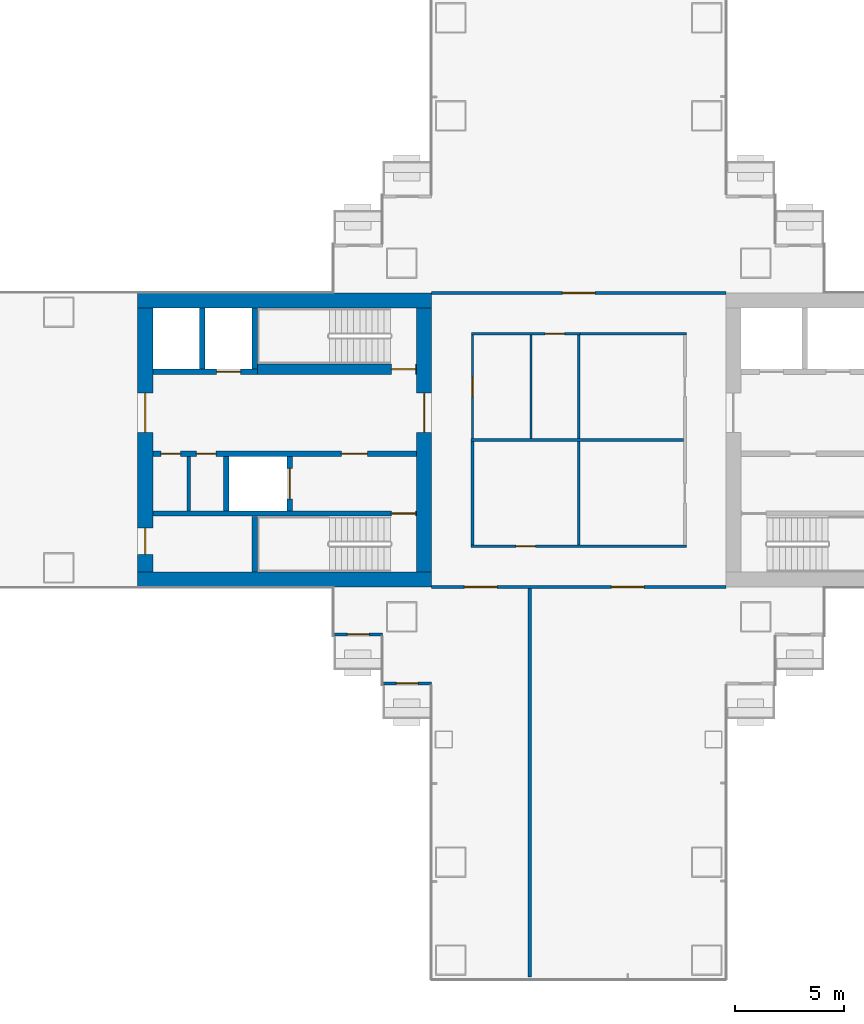
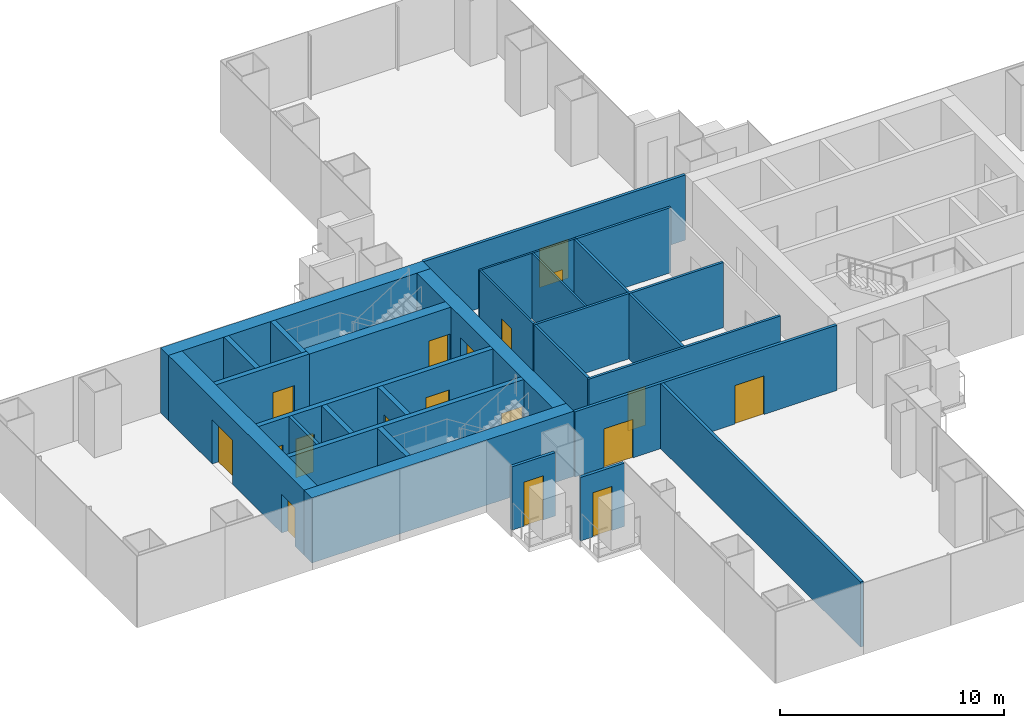
# One storey, part 14 of 21: 27 walls, 18 doors, 18 openings.
"""IFC4 building model written with IfcOpenShell, lengths in metres."""

from ifc_helpers import new_model, si_unit, direction, frame, frame_2d, origin, place, context, subcontext, project, spatial, rectangle, extrude, material, layer, layer_set, type_object, element, fill, save


model = new_model("IFC4")

# Units and contexts
model_context = context("Model", 3, precision=1e-05, world=origin(), true_north=direction((0.0, 1.0)))
body_context = subcontext(model_context, "Body", "Model", "MODEL_VIEW")
ifc_project = project(units=[si_unit("LENGTHUNIT", "METRE"), si_unit("AREAUNIT", "SQUARE_METRE"), si_unit("VOLUMEUNIT", "CUBIC_METRE"), si_unit("PLANEANGLEUNIT", "RADIAN"), si_unit("MASSUNIT", "GRAM", prefix="KILO")], contexts=[model_context])

# Site, building, storey
site_placement = place(None, origin())
site = spatial("IfcSite", under=ifc_project, at=site_placement, CompositionType="ELEMENT")
building_placement = place(site_placement, origin())
building = spatial("IfcBuilding", under=site, at=building_placement, Name="Shamsa Quay Exchange Towers", CompositionType="ELEMENT")
storey_placement = place(building_placement, frame((0.0, 0.0, 61.5)))
storey = spatial("IfcBuildingStorey", under=building, at=storey_placement, Name="L13", CompositionType="ELEMENT", Elevation=61.5)

# Wall, opening, door
ifc_material_1 = material(Name="Aluminium EN AW-6063 T6, black anodised, with black enamelled glass infill", Category="aluminium")
ifc_layer_1 = layer(ifc_material_1, 0.14990234375)
ifc_layer_set_1 = layer_set([ifc_layer_1], Name="BALCONY DOOR BAY WALL 150")
wall_type_1 = type_object("IfcWallType", Name="BALCONY DOOR BAY WALL 150", PredefinedType="SOLIDWALL", material=ifc_layer_set_1)
wall_1_placement = place(storey_placement, frame((-42.75, -8.925048828125, 0.0), z_axis=(0.0, 0.0, 1.0), x_axis=(-1.0, 0.0, 0.0)))
wall_1 = element("IfcWall", 1, at=wall_1_placement, inside=storey, type_object=wall_type_1, Name="Door bay T1-PKWS L13", PredefinedType="SOLIDWALL", context=body_context, shape_type="SweptSolid", body=[
    extrude(rectangle(XDim=2.25, YDim=0.14990234375, at=frame_2d((1.125, 0.0))), origin(), (0.0, 0.0, 1.0), 3.449951171875),
])
opening_1_placement = place(wall_1_placement, frame((0.625, 0.0, 0.0)))
opening_1 = element("IfcOpeningElement", 2, at=opening_1_placement, cuts=wall_1, Name="Opening XD079", PredefinedType="OPENING", context=body_context, shape_type="SweptSolid", body=[
    extrude(rectangle(XDim=1.0, YDim=2.39990234375, at=frame_2d((0.5, 1.199951171875))), frame((0.0, 0.0849609375, 0.0), z_axis=(0.0, -1.0, 0.0), x_axis=(1.0, 0.0, 0.0)), (0.0, 0.0, 1.0), 0.169921875),
])
ifc_material_2 = material(Name="Aluminium EN AW-6063 T6, black anodised, with laminated glass leaf", Category="aluminium")
door_type_1 = type_object("IfcDoorType", Name="BALCONY DOOR 1000x2400", OperationType="SINGLE_SWING_LEFT", PredefinedType="DOOR", material=ifc_material_2)
door_1_placement = place(opening_1_placement, origin())
door_1 = element("IfcDoor", 3, at=door_1_placement, inside=storey, type_object=door_type_1, Name="Balcony door T1-PKWS L13", OperationType="SINGLE_SWING_LEFT", OverallHeight=2.39990234375, OverallWidth=1.0, PredefinedType="DOOR", context=body_context, shape_type="SweptSolid", body=[
    extrude(rectangle(XDim=1.0, YDim=2.39990234375, at=frame_2d((0.5, 1.199951171875))), frame((0.0, 0.02490234375, 0.0), z_axis=(0.0, -1.0, 0.0), x_axis=(1.0, 0.0, 0.0)), (0.0, 0.0, 1.0), 0.050048828125),
])
fill(opening_1, door_1)

wall_2_placement = place(storey_placement, frame((-40.5, -11.175048828125, 0.0), z_axis=(0.0, 0.0, 1.0), x_axis=(-1.0, 0.0, 0.0)))
wall_2 = element("IfcWall", 4, at=wall_2_placement, inside=storey, type_object=wall_type_1, Name="Door bay T1-PKWS L13", PredefinedType="SOLIDWALL", context=body_context, shape_type="SweptSolid", body=[
    extrude(rectangle(XDim=2.25, YDim=0.14990234375, at=frame_2d((1.125, 0.0))), origin(), (0.0, 0.0, 1.0), 3.449951171875),
])
opening_2_placement = place(wall_2_placement, frame((0.625, 0.0, 0.0)))
opening_2 = element("IfcOpeningElement", 5, at=opening_2_placement, cuts=wall_2, Name="Opening XD080", PredefinedType="OPENING", context=body_context, shape_type="SweptSolid", body=[
    extrude(rectangle(XDim=1.0, YDim=2.39990234375, at=frame_2d((0.5, 1.199951171875))), frame((0.0, 0.0849609375, 0.0), z_axis=(0.0, -1.0, 0.0), x_axis=(1.0, 0.0, 0.0)), (0.0, 0.0, 1.0), 0.169921875),
])
door_2_placement = place(opening_2_placement, origin())
door_2 = element("IfcDoor", 6, at=door_2_placement, inside=storey, type_object=door_type_1, Name="Balcony door T1-PKWS L13", OperationType="SINGLE_SWING_RIGHT", OverallHeight=2.39990234375, OverallWidth=1.0, PredefinedType="DOOR", context=body_context, shape_type="SweptSolid", body=[
    extrude(rectangle(XDim=1.0, YDim=2.39990234375, at=frame_2d((0.5, 1.199951171875))), frame((0.0, 0.02490234375, 0.0), z_axis=(0.0, -1.0, 0.0), x_axis=(1.0, 0.0, 0.0)), (0.0, 0.0, 1.0), 0.050048828125),
])
fill(opening_2, door_2)

# Walls
ifc_material_3 = material(Name="Concrete C80/95", Category="concrete")
ifc_layer_2 = layer(ifc_material_3, 0.699951171875)
ifc_layer_set_2 = layer_set([ifc_layer_2], Name="CORE WALL 700 C80/95")
wall_type_2 = type_object("IfcWallType", Name="CORE WALL 700 C80/95", PredefinedType="SHEAR", material=ifc_layer_set_2)
for number, where, z_axis, x_axis, name in (
    (7, (-40.5, -6.39990234375, 0.0), (0.0, 0.0, 1.0), (-1.0, 0.0, 0.0), "Core wall T1B-R06-PS"),
    (8, (-40.5, 6.39990234375, 0.0), (0.0, 0.0, 1.0), (-1.0, 0.0, 0.0), "Core wall T1B-R06-PN"),
):
    element("IfcWall", number, at=place(storey_placement, frame(where, z_axis=z_axis, x_axis=x_axis)), inside=storey, type_object=wall_type_2, Name=name, PredefinedType="SHEAR", context=body_context, shape_type="SweptSolid", body=[
        extrude(rectangle(XDim=13.5, YDim=0.699951171875, at=frame_2d((6.75, 0.0))), origin(), (0.0, 0.0, 1.0), 3.550048828125),
    ])

# Wall, opening, door
wall_3_placement = place(storey_placement, frame((-40.85009765625, -6.050048828125, 0.0), z_axis=(0.0, 0.0, 1.0), x_axis=(0.0, 1.0, 0.0)))
wall_3 = element("IfcWall", 9, at=wall_3_placement, inside=storey, type_object=wall_type_2, Name="Core wall T1B-R06-PF", PredefinedType="SHEAR", context=body_context, shape_type="SweptSolid", body=[
    extrude(rectangle(XDim=12.10009765625, YDim=0.699951171875, at=frame_2d((6.050048828125, 0.0))), origin(), (0.0, 0.0, 1.0), 3.550048828125),
])
opening_3_placement = place(wall_3_placement, frame((6.39990234375, 0.0, 0.0)))
opening_3 = element("IfcOpeningElement", 10, at=opening_3_placement, cuts=wall_3, Name="Opening T1B-R06-LBD01", PredefinedType="OPENING", context=body_context, shape_type="SweptSolid", body=[
    extrude(rectangle(XDim=1.800048828125, YDim=2.39990234375, at=frame_2d((0.89990234375, 1.199951171875))), frame((0.0, 0.35986328125, 0.0), z_axis=(0.0, -1.0, 0.0), x_axis=(1.0, 0.0, 0.0)), (0.0, 0.0, 1.0), 0.719970703125),
])
ifc_material_4 = material(Name="Steel, fire rated", Category="steel")
door_type_2 = type_object("IfcDoorType", Name="LIFT LOBBY DOOR PAIR 1800", OperationType="DOUBLE_DOOR_SINGLE_SWING", PredefinedType="DOOR", material=ifc_material_4)
door_3_placement = place(opening_3_placement, origin())
door_3 = element("IfcDoor", 11, at=door_3_placement, inside=storey, type_object=door_type_2, Name="T1B-R06-LBD01", OperationType="DOUBLE_DOOR_SINGLE_SWING", OverallHeight=2.39990234375, OverallWidth=1.800048828125, PredefinedType="DOOR", context=body_context, shape_type="SweptSolid", body=[
    extrude(rectangle(XDim=1.800048828125, YDim=2.39990234375, at=frame_2d((0.89990234375, 1.199951171875))), frame((0.0, 0.02490234375, 0.0), z_axis=(0.0, -1.0, 0.0), x_axis=(1.0, 0.0, 0.0)), (0.0, 0.0, 1.0), 0.050048828125),
])
fill(opening_3, door_3)

# Wall, openings, doors
wall_4_placement = place(storey_placement, frame((-53.64990234375, -6.050048828125, 0.0), z_axis=(0.0, 0.0, 1.0), x_axis=(0.0, 1.0, 0.0)))
wall_4 = element("IfcWall", 12, at=wall_4_placement, inside=storey, type_object=wall_type_2, Name="Core wall T1B-R06-PB", PredefinedType="SHEAR", context=body_context, shape_type="SweptSolid", body=[
    extrude(rectangle(XDim=12.10009765625, YDim=0.699951171875, at=frame_2d((6.050048828125, 0.0))), origin(), (0.0, 0.0, 1.0), 3.550048828125),
])
opening_4_placement = place(wall_4_placement, frame((0.800048828125, 0.0, 0.0)))
opening_4 = element("IfcOpeningElement", 13, at=opening_4_placement, cuts=wall_4, Name="Opening T1B-R06-RD02", PredefinedType="OPENING", context=body_context, shape_type="SweptSolid", body=[
    extrude(rectangle(XDim=1.199951171875, YDim=2.10009765625, at=frame_2d((0.60009765625, 1.050048828125))), frame((0.0, 0.35986328125, 0.0), z_axis=(0.0, -1.0, 0.0), x_axis=(1.0, 0.0, 0.0)), (0.0, 0.0, 1.0), 0.719970703125),
])
opening_5_placement = place(wall_4_placement, frame((6.39990234375, 0.0, 0.0)))
opening_5 = element("IfcOpeningElement", 14, at=opening_5_placement, cuts=wall_4, Name="Opening T1B-R06-LBD03", PredefinedType="OPENING", context=body_context, shape_type="SweptSolid", body=[
    extrude(rectangle(XDim=1.800048828125, YDim=2.39990234375, at=frame_2d((0.89990234375, 1.199951171875))), frame((0.0, 0.35986328125, 0.0), z_axis=(0.0, -1.0, 0.0), x_axis=(1.0, 0.0, 0.0)), (0.0, 0.0, 1.0), 0.719970703125),
])
door_4_placement = place(opening_5_placement, origin())
door_4 = element("IfcDoor", 15, at=door_4_placement, inside=storey, type_object=door_type_2, Name="T1B-R06-LBD03", OperationType="DOUBLE_DOOR_SINGLE_SWING", OverallHeight=2.39990234375, OverallWidth=1.800048828125, PredefinedType="DOOR", context=body_context, shape_type="SweptSolid", body=[
    extrude(rectangle(XDim=1.800048828125, YDim=2.39990234375, at=frame_2d((0.89990234375, 1.199951171875))), frame((0.0, 0.02490234375, 0.0), z_axis=(0.0, -1.0, 0.0), x_axis=(1.0, 0.0, 0.0)), (0.0, 0.0, 1.0), 0.050048828125),
])
fill(opening_5, door_4)
door_type_3 = type_object("IfcDoorType", Name="RISER ACCESS DOOR 1200", OperationType="SINGLE_SWING_LEFT", PredefinedType="DOOR", material=ifc_material_4)
door_5_placement = place(opening_4_placement, origin())
door_5 = element("IfcDoor", 16, at=door_5_placement, inside=storey, type_object=door_type_3, Name="T1B-R06-RD02", OperationType="SINGLE_SWING_LEFT", OverallHeight=2.10009765625, OverallWidth=1.199951171875, PredefinedType="DOOR", context=body_context, shape_type="SweptSolid", body=[
    extrude(rectangle(XDim=1.199951171875, YDim=2.10009765625, at=frame_2d((0.60009765625, 1.050048828125))), frame((0.0, 0.02490234375, 0.0), z_axis=(0.0, -1.0, 0.0), x_axis=(1.0, 0.0, 0.0)), (0.0, 0.0, 1.0), 0.050048828125),
])
fill(opening_4, door_5)

# Walls
ifc_material_5 = material(Name="Gypsum board on steel studs, EI 60", Category="steel")
ifc_layer_3 = layer(ifc_material_5, 0.14990234375)
ifc_layer_set_3 = layer_set([ifc_layer_3], Name="FIRE PARTITION 150")
wall_type_3 = type_object("IfcWallType", Name="FIRE PARTITION 150", PredefinedType="PARTITIONING", material=ifc_layer_set_3)
wall_5_placement = place(storey_placement, frame((-51.64990234375, -3.25, 0.0), z_axis=(0.0, 0.0, 1.0), x_axis=(0.0, 1.0, 0.0)))
element("IfcWall", 17, at=wall_5_placement, inside=storey, type_object=wall_type_3, Name="Partition T1B-R06-EC0", PredefinedType="PARTITIONING", context=body_context, shape_type="SweptSolid", body=[
    extrude(rectangle(XDim=2.5, YDim=0.14990234375, at=frame_2d((1.25, 0.0))), origin(), (0.0, 0.0, 1.0), 3.550048828125),
])
ifc_material_6 = material(Name="Laminated fire-resisting glass in a metal frame", Category="glass")
ifc_layer_4 = layer(ifc_material_6, 0.125)
ifc_layer_set_4 = layer_set([ifc_layer_4], Name="Glazed partition 125 mm EI 60")
wall_type_4 = type_object("IfcWallType", Name="Glazed partition 125 mm EI 60", PredefinedType="PARTITIONING", material=ifc_layer_set_4)
wall_6_placement = place(storey_placement, frame((-28.8125, 4.875, 0.0), z_axis=(0.0, 0.0, 1.0), x_axis=(-1.0, 0.0, 0.0)))
element("IfcWall", 18, at=wall_6_placement, inside=storey, type_object=wall_type_4, Name="Partition T1-R06-W02", PredefinedType="PARTITIONING", context=body_context, shape_type="SweptSolid", body=[
    extrude(rectangle(XDim=5.0, YDim=0.125, at=frame_2d((2.5, 0.0))), origin(), (0.0, 0.0, 1.0), 3.550048828125),
])

# Wall, opening, door
wall_7_placement = place(storey_placement, frame((-38.6875, -4.875, 0.0)))
wall_7 = element("IfcWall", 19, at=wall_7_placement, inside=storey, type_object=wall_type_4, Name="Partition T1-R06-W03", PredefinedType="PARTITIONING", context=body_context, shape_type="SweptSolid", body=[
    extrude(rectangle(XDim=9.875, YDim=0.125, at=frame_2d((4.9375, 0.0))), origin(), (0.0, 0.0, 1.0), 3.550048828125),
])
opening_6_placement = place(wall_7_placement, frame((2.050048828125, 0.0, 0.0)))
opening_6 = element("IfcOpeningElement", 20, at=opening_6_placement, cuts=wall_7, Name="Opening T1-R06-D02", PredefinedType="OPENING", context=body_context, shape_type="SweptSolid", body=[
    extrude(rectangle(XDim=0.89990234375, YDim=2.10009765625, at=frame_2d((0.449951171875, 1.050048828125))), frame((0.0, 0.072509765625, 0.0), z_axis=(0.0, -1.0, 0.0), x_axis=(1.0, 0.0, 0.0)), (0.0, 0.0, 1.0), 0.14501953125),
])
ifc_material_7 = material(Name="Timber door leaf in a metal frame", Category="wood")
door_type_4 = type_object("IfcDoorType", Name="Door 900x2100 FD30S", OperationType="NOTDEFINED", PredefinedType="DOOR", material=ifc_material_7)
door_6_placement = place(opening_6_placement, origin())
door_6 = element("IfcDoor", 21, at=door_6_placement, inside=storey, type_object=door_type_4, Name="Door T1-R06-D02", OperationType="SINGLE_SWING_LEFT", OverallHeight=2.10009765625, OverallWidth=0.89990234375, PredefinedType="DOOR", context=body_context, shape_type="SweptSolid", body=[
    extrude(rectangle(XDim=0.89990234375, YDim=2.10009765625, at=frame_2d((0.449951171875, 1.050048828125))), frame((0.0, 0.02490234375, 0.0), z_axis=(0.0, -1.0, 0.0), x_axis=(1.0, 0.0, 0.0)), (0.0, 0.0, 1.0), 0.050048828125),
])
fill(opening_6, door_6)

# Walls
wall_8_placement = place(storey_placement, frame((-38.625, -0.0625, 0.0), z_axis=(0.0, 0.0, 1.0), x_axis=(0.0, -1.0, 0.0)))
element("IfcWall", 22, at=wall_8_placement, inside=storey, type_object=wall_type_4, Name="Partition T1-R06-W06", PredefinedType="PARTITIONING", context=body_context, shape_type="SweptSolid", body=[
    extrude(rectangle(XDim=4.75, YDim=0.125, at=frame_2d((2.375, 0.0))), origin(), (0.0, 0.0, 1.0), 3.550048828125),
])
wall_9_placement = place(storey_placement, frame((-38.6875, 0.0, 0.0)))
element("IfcWall", 23, at=wall_9_placement, inside=storey, type_object=wall_type_4, Name="Partition T1-R06-W09", PredefinedType="PARTITIONING", context=body_context, shape_type="SweptSolid", body=[
    extrude(rectangle(XDim=9.75, YDim=0.125, at=frame_2d((4.875, 0.0))), origin(), (0.0, 0.0, 1.0), 3.550048828125),
])
wall_10_placement = place(storey_placement, frame((-33.75, 4.8125, 0.0), z_axis=(0.0, 0.0, 1.0), x_axis=(0.0, -1.0, 0.0)))
element("IfcWall", 24, at=wall_10_placement, inside=storey, type_object=wall_type_4, Name="Partition T1-R06-W10", PredefinedType="PARTITIONING", context=body_context, shape_type="SweptSolid", body=[
    extrude(rectangle(XDim=9.625, YDim=0.125, at=frame_2d((4.8125, 0.0))), origin(), (0.0, 0.0, 1.0), 3.550048828125),
])

# Wall, opening, door
ifc_material_8 = material(Name="Gypsum board partition on metal studs")
ifc_layer_5 = layer(ifc_material_8, 0.10009765625)
ifc_layer_set_5 = layer_set([ifc_layer_5], Name="Partition 100 mm NOT RATED")
wall_type_5 = type_object("IfcWallType", Name="Partition 100 mm NOT RATED", PredefinedType="PARTITIONING", material=ifc_layer_set_5)
wall_11_placement = place(storey_placement, frame((-38.625, 4.824951171875, 0.0), z_axis=(0.0, 0.0, 1.0), x_axis=(0.0, -1.0, 0.0)))
wall_11 = element("IfcWall", 25, at=wall_11_placement, inside=storey, type_object=wall_type_5, Name="Partition T1-R06-W04", PredefinedType="PARTITIONING", context=body_context, shape_type="SweptSolid", body=[
    extrude(rectangle(XDim=4.762451171875, YDim=0.10009765625, at=frame_2d((2.38134765625, 0.0))), origin(), (0.0, 0.0, 1.0), 3.550048828125),
])
opening_7_placement = place(wall_11_placement, frame((1.9375, 0.0, 0.0)))
opening_7 = element("IfcOpeningElement", 26, at=opening_7_placement, cuts=wall_11, Name="Opening T1-R06-D03", PredefinedType="OPENING", context=body_context, shape_type="SweptSolid", body=[
    extrude(rectangle(XDim=0.89990234375, YDim=2.10009765625, at=frame_2d((0.449951171875, 1.050048828125))), frame((0.0, 0.06005859375, 0.0), z_axis=(0.0, -1.0, 0.0), x_axis=(1.0, 0.0, 0.0)), (0.0, 0.0, 1.0), 0.1201171875),
])
door_type_5 = type_object("IfcDoorType", Name="Door 900x2100 NOT RATED", OperationType="NOTDEFINED", PredefinedType="DOOR", material=ifc_material_7)
door_7_placement = place(opening_7_placement, origin())
door_7 = element("IfcDoor", 27, at=door_7_placement, inside=storey, type_object=door_type_5, Name="Door T1-R06-D03", OperationType="SINGLE_SWING_RIGHT", OverallHeight=2.10009765625, OverallWidth=0.89990234375, PredefinedType="DOOR", context=body_context, shape_type="SweptSolid", body=[
    extrude(rectangle(XDim=0.89990234375, YDim=2.10009765625, at=frame_2d((0.449951171875, 1.050048828125))), frame((0.0, 0.02490234375, 0.0), z_axis=(0.0, -1.0, 0.0), x_axis=(1.0, 0.0, 0.0)), (0.0, 0.0, 1.0), 0.050048828125),
])
fill(opening_7, door_7)

wall_12_placement = place(storey_placement, frame((-33.6875, 4.875, 0.0), z_axis=(0.0, 0.0, 1.0), x_axis=(-1.0, 0.0, 0.0)))
wall_12 = element("IfcWall", 28, at=wall_12_placement, inside=storey, type_object=wall_type_5, Name="Partition T1-R06-W05", PredefinedType="PARTITIONING", context=body_context, shape_type="SweptSolid", body=[
    extrude(rectangle(XDim=4.987548828125, YDim=0.10009765625, at=frame_2d((2.49365234375, 0.0))), origin(), (0.0, 0.0, 1.0), 3.550048828125),
])
opening_8_placement = place(wall_12_placement, frame((0.706298828125, 0.0, 0.0)))
opening_8 = element("IfcOpeningElement", 29, at=opening_8_placement, cuts=wall_12, Name="Opening T1-R06-D04", PredefinedType="OPENING", context=body_context, shape_type="SweptSolid", body=[
    extrude(rectangle(XDim=0.89990234375, YDim=2.10009765625, at=frame_2d((0.449951171875, 1.050048828125))), frame((0.0, 0.06005859375, 0.0), z_axis=(0.0, -1.0, 0.0), x_axis=(1.0, 0.0, 0.0)), (0.0, 0.0, 1.0), 0.1201171875),
])
door_8_placement = place(opening_8_placement, origin())
door_8 = element("IfcDoor", 30, at=door_8_placement, inside=storey, type_object=door_type_5, Name="Door T1-R06-D04", OperationType="SINGLE_SWING_LEFT", OverallHeight=2.10009765625, OverallWidth=0.89990234375, PredefinedType="DOOR", context=body_context, shape_type="SweptSolid", body=[
    extrude(rectangle(XDim=0.89990234375, YDim=2.10009765625, at=frame_2d((0.449951171875, 1.050048828125))), frame((0.0, 0.02490234375, 0.0), z_axis=(0.0, -1.0, 0.0), x_axis=(1.0, 0.0, 0.0)), (0.0, 0.0, 1.0), 0.050048828125),
])
fill(opening_8, door_8)

# Wall
wall_13_placement = place(storey_placement, frame((-35.9375, 0.0625, 0.0), z_axis=(0.0, 0.0, 1.0), x_axis=(0.0, 1.0, 0.0)))
element("IfcWall", 31, at=wall_13_placement, inside=storey, type_object=wall_type_5, Name="Partition T1-R06-W11", PredefinedType="PARTITIONING", context=body_context, shape_type="SweptSolid", body=[
    extrude(rectangle(XDim=4.762451171875, YDim=0.10009765625, at=frame_2d((2.38134765625, 0.0))), origin(), (0.0, 0.0, 1.0), 3.550048828125),
])

# Wall, opening, door
ifc_layer_6 = layer(ifc_material_8, 0.14990234375)
ifc_layer_set_6 = layer_set([ifc_layer_6], Name="Partition 150 mm EI 60")
wall_type_6 = type_object("IfcWallType", Name="Partition 150 mm EI 60", PredefinedType="PARTITIONING", material=ifc_layer_set_6)
wall_14_placement = place(storey_placement, frame((-40.5, 6.75, 0.0)))
wall_14 = element("IfcWall", 32, at=wall_14_placement, inside=storey, type_object=wall_type_6, Name="Partition T1-R06-W07", PredefinedType="PARTITIONING", context=body_context, shape_type="SweptSolid", body=[
    extrude(rectangle(XDim=13.5, YDim=0.14990234375, at=frame_2d((6.75, 0.0))), origin(), (0.0, 0.0, 1.0), 3.550048828125),
])
opening_9_placement = place(wall_14_placement, frame((6.0, 0.0, 0.0)))
opening_9 = element("IfcOpeningElement", 33, at=opening_9_placement, cuts=wall_14, Name="Opening T1-R06-D01", PredefinedType="OPENING", context=body_context, shape_type="SweptSolid", body=[
    extrude(rectangle(XDim=1.5, YDim=2.10009765625, at=frame_2d((0.75, 1.050048828125))), frame((0.0, 0.0849609375, 0.0), z_axis=(0.0, -1.0, 0.0), x_axis=(1.0, 0.0, 0.0)), (0.0, 0.0, 1.0), 0.169921875),
])
door_type_6 = type_object("IfcDoorType", Name="Door 1500x2100 FD30S pair", OperationType="NOTDEFINED", PredefinedType="DOOR", material=ifc_material_7)
door_9_placement = place(opening_9_placement, origin())
door_9 = element("IfcDoor", 34, at=door_9_placement, inside=storey, type_object=door_type_6, Name="Door T1-R06-D01", OperationType="DOUBLE_DOOR_SINGLE_SWING", OverallHeight=2.10009765625, OverallWidth=1.5, PredefinedType="DOOR", context=body_context, shape_type="SweptSolid", body=[
    extrude(rectangle(XDim=1.5, YDim=2.10009765625, at=frame_2d((0.75, 1.050048828125))), frame((0.0, 0.02490234375, 0.0), z_axis=(0.0, -1.0, 0.0), x_axis=(1.0, 0.0, 0.0)), (0.0, 0.0, 1.0), 0.050048828125),
])
fill(opening_9, door_9)

# Wall, openings, doors
wall_15_placement = place(storey_placement, frame((-27.0, -6.75, 0.0), z_axis=(0.0, 0.0, 1.0), x_axis=(-1.0, 0.0, 0.0)))
wall_15 = element("IfcWall", 35, at=wall_15_placement, inside=storey, type_object=wall_type_6, Name="Partition T1-R06-W08", PredefinedType="PARTITIONING", context=body_context, shape_type="SweptSolid", body=[
    extrude(rectangle(XDim=13.5, YDim=0.14990234375, at=frame_2d((6.75, 0.0))), origin(), (0.0, 0.0, 1.0), 3.550048828125),
])
opening_10_placement = place(wall_15_placement, frame((3.75, 0.0, 0.0)))
opening_10 = element("IfcOpeningElement", 36, at=opening_10_placement, cuts=wall_15, Name="Opening T1-R06-D07", PredefinedType="OPENING", context=body_context, shape_type="SweptSolid", body=[
    extrude(rectangle(XDim=1.5, YDim=2.10009765625, at=frame_2d((0.75, 1.050048828125))), frame((0.0, 0.0849609375, 0.0), z_axis=(0.0, -1.0, 0.0), x_axis=(1.0, 0.0, 0.0)), (0.0, 0.0, 1.0), 0.169921875),
])
opening_11_placement = place(wall_15_placement, frame((10.5, 0.0, 0.0)))
opening_11 = element("IfcOpeningElement", 37, at=opening_11_placement, cuts=wall_15, Name="Opening T1-R06-D08", PredefinedType="OPENING", context=body_context, shape_type="SweptSolid", body=[
    extrude(rectangle(XDim=1.5, YDim=2.10009765625, at=frame_2d((0.75, 1.050048828125))), frame((0.0, 0.0849609375, 0.0), z_axis=(0.0, -1.0, 0.0), x_axis=(1.0, 0.0, 0.0)), (0.0, 0.0, 1.0), 0.169921875),
])
door_10_placement = place(opening_10_placement, origin())
door_10 = element("IfcDoor", 38, at=door_10_placement, inside=storey, type_object=door_type_6, Name="Door T1-R06-D07", OperationType="DOUBLE_DOOR_SINGLE_SWING", OverallHeight=2.10009765625, OverallWidth=1.5, PredefinedType="DOOR", context=body_context, shape_type="SweptSolid", body=[
    extrude(rectangle(XDim=1.5, YDim=2.10009765625, at=frame_2d((0.75, 1.050048828125))), frame((0.0, 0.02490234375, 0.0), z_axis=(0.0, -1.0, 0.0), x_axis=(1.0, 0.0, 0.0)), (0.0, 0.0, 1.0), 0.050048828125),
])
fill(opening_10, door_10)
door_11_placement = place(opening_11_placement, origin())
door_11 = element("IfcDoor", 39, at=door_11_placement, inside=storey, type_object=door_type_6, Name="Door T1-R06-D08", OperationType="DOUBLE_DOOR_SINGLE_SWING", OverallHeight=2.10009765625, OverallWidth=1.5, PredefinedType="DOOR", context=body_context, shape_type="SweptSolid", body=[
    extrude(rectangle(XDim=1.5, YDim=2.10009765625, at=frame_2d((0.75, 1.050048828125))), frame((0.0, 0.02490234375, 0.0), z_axis=(0.0, -1.0, 0.0), x_axis=(1.0, 0.0, 0.0)), (0.0, 0.0, 1.0), 0.050048828125),
])
fill(opening_11, door_11)

# Wall
wall_16_placement = place(storey_placement, frame((-36.0, -24.655029296875, 0.0), z_axis=(0.0, 0.0, 1.0), x_axis=(0.0, 1.0, 0.0)))
element("IfcWall", 40, at=wall_16_placement, inside=storey, type_object=wall_type_6, Name="Partition T1-R06-W12", PredefinedType="PARTITIONING", context=body_context, shape_type="SweptSolid", body=[
    extrude(rectangle(XDim=17.830078125, YDim=0.14990234375, at=frame_2d((8.9150390625, 0.0))), origin(), (0.0, 0.0, 1.0), 3.550048828125),
])

# Wall, opening, door
ifc_material_9 = material(Name="Concrete C50/60", Category="concrete")
ifc_layer_7 = layer(ifc_material_9, 0.25)
ifc_layer_set_7 = layer_set([ifc_layer_7], Name="SHAFT WALL 250 C50/60")
wall_type_7 = type_object("IfcWallType", Name="SHAFT WALL 250 C50/60", PredefinedType="SHEAR", material=ifc_layer_set_7)
wall_17_placement = place(storey_placement, frame((-41.199951171875, -3.375, 0.0), z_axis=(0.0, 0.0, 1.0), x_axis=(-1.0, 0.0, 0.0)))
wall_17 = element("IfcWall", 41, at=wall_17_placement, inside=storey, type_object=wall_type_7, Name="Shaft wall T1B-R06-STL", PredefinedType="SHEAR", context=body_context, shape_type="SweptSolid", body=[
    extrude(rectangle(XDim=12.10009765625, YDim=0.25, at=frame_2d((6.050048828125, 0.0))), origin(), (0.0, 0.0, 1.0), 3.550048828125),
])
opening_12_placement = place(wall_17_placement, frame((0.050048828125, 0.0, 0.0)))
opening_12 = element("IfcOpeningElement", 42, at=opening_12_placement, cuts=wall_17, Name="Opening T1B-R06-SD04", PredefinedType="OPENING", context=body_context, shape_type="SweptSolid", body=[
    extrude(rectangle(XDim=1.10009765625, YDim=2.10009765625, at=frame_2d((0.550048828125, 1.050048828125))), frame((0.0, 0.135009765625, 0.0), z_axis=(0.0, -1.0, 0.0), x_axis=(1.0, 0.0, 0.0)), (0.0, 0.0, 1.0), 0.27001953125),
])
door_type_7 = type_object("IfcDoorType", Name="STAIR DOOR 1100", OperationType="SINGLE_SWING_LEFT", PredefinedType="DOOR", material=ifc_material_4)
door_12_placement = place(opening_12_placement, origin())
door_12 = element("IfcDoor", 43, at=door_12_placement, inside=storey, type_object=door_type_7, Name="T1B-R06-SD04", OperationType="SINGLE_SWING_LEFT", OverallHeight=2.10009765625, OverallWidth=1.10009765625, PredefinedType="DOOR", context=body_context, shape_type="SweptSolid", body=[
    extrude(rectangle(XDim=1.10009765625, YDim=2.10009765625, at=frame_2d((0.550048828125, 1.050048828125))), frame((0.0, 0.02490234375, 0.0), z_axis=(0.0, -1.0, 0.0), x_axis=(1.0, 0.0, 0.0)), (0.0, 0.0, 1.0), 0.050048828125),
])
fill(opening_12, door_12)

# Wall
wall_18_placement = place(storey_placement, frame((-48.625, -6.050048828125, 0.0), z_axis=(0.0, 0.0, 1.0), x_axis=(0.0, 1.0, 0.0)))
element("IfcWall", 44, at=wall_18_placement, inside=storey, type_object=wall_type_7, Name="Shaft wall T1B-R06-STF", PredefinedType="SHEAR", context=body_context, shape_type="SweptSolid", body=[
    extrude(rectangle(XDim=2.550048828125, YDim=0.25, at=frame_2d((1.27490234375, 0.0))), origin(), (0.0, 0.0, 1.0), 3.550048828125),
])

# Wall, openings, doors
wall_19_placement = place(storey_placement, frame((-41.199951171875, -0.625, 0.0), z_axis=(0.0, 0.0, 1.0), x_axis=(-1.0, 0.0, 0.0)))
wall_19 = element("IfcWall", 45, at=wall_19_placement, inside=storey, type_object=wall_type_7, Name="Shaft wall T1B-R06-B", PredefinedType="SHEAR", context=body_context, shape_type="SweptSolid", body=[
    extrude(rectangle(XDim=12.10009765625, YDim=0.25, at=frame_2d((6.050048828125, 0.0))), origin(), (0.0, 0.0, 1.0), 3.550048828125),
])
opening_13_placement = place(wall_19_placement, frame((2.25, 0.0, 0.0)))
opening_13 = element("IfcOpeningElement", 46, at=opening_13_placement, cuts=wall_19, Name="Opening T1B-R06-FD05", PredefinedType="OPENING", context=body_context, shape_type="SweptSolid", body=[
    extrude(rectangle(XDim=1.199951171875, YDim=2.10009765625, at=frame_2d((0.60009765625, 1.050048828125))), frame((0.0, 0.135009765625, 0.0), z_axis=(0.0, -1.0, 0.0), x_axis=(1.0, 0.0, 0.0)), (0.0, 0.0, 1.0), 0.27001953125),
])
opening_14_placement = place(wall_19_placement, frame((9.199951171875, 0.0, 0.0)))
opening_14 = element("IfcOpeningElement", 47, at=opening_14_placement, cuts=wall_19, Name="Opening T1B-R06-SV06", PredefinedType="OPENING", context=body_context, shape_type="SweptSolid", body=[
    extrude(rectangle(XDim=0.89990234375, YDim=2.10009765625, at=frame_2d((0.449951171875, 1.050048828125))), frame((0.0, 0.135009765625, 0.0), z_axis=(0.0, -1.0, 0.0), x_axis=(1.0, 0.0, 0.0)), (0.0, 0.0, 1.0), 0.27001953125),
])
opening_15_placement = place(wall_19_placement, frame((10.824951171875, 0.0, 0.0)))
opening_15 = element("IfcOpeningElement", 48, at=opening_15_placement, cuts=wall_19, Name="Opening T1B-R06-SV07", PredefinedType="OPENING", context=body_context, shape_type="SweptSolid", body=[
    extrude(rectangle(XDim=0.89990234375, YDim=2.10009765625, at=frame_2d((0.449951171875, 1.050048828125))), frame((0.0, 0.135009765625, 0.0), z_axis=(0.0, -1.0, 0.0), x_axis=(1.0, 0.0, 0.0)), (0.0, 0.0, 1.0), 0.27001953125),
])
door_type_8 = type_object("IfcDoorType", Name="FIRE SERVICE LOBBY DOOR 1200", OperationType="SINGLE_SWING_LEFT", PredefinedType="DOOR", material=ifc_material_4)
door_13_placement = place(opening_13_placement, origin())
door_13 = element("IfcDoor", 49, at=door_13_placement, inside=storey, type_object=door_type_8, Name="T1B-R06-FD05", OperationType="SINGLE_SWING_LEFT", OverallHeight=2.10009765625, OverallWidth=1.199951171875, PredefinedType="DOOR", context=body_context, shape_type="SweptSolid", body=[
    extrude(rectangle(XDim=1.199951171875, YDim=2.10009765625, at=frame_2d((0.60009765625, 1.050048828125))), frame((0.0, 0.02490234375, 0.0), z_axis=(0.0, -1.0, 0.0), x_axis=(1.0, 0.0, 0.0)), (0.0, 0.0, 1.0), 0.050048828125),
])
fill(opening_13, door_13)
door_type_9 = type_object("IfcDoorType", Name="SERVICE ROOM DOOR 900", OperationType="SINGLE_SWING_LEFT", PredefinedType="DOOR", material=ifc_material_4)
door_14_placement = place(opening_14_placement, origin())
door_14 = element("IfcDoor", 50, at=door_14_placement, inside=storey, type_object=door_type_9, Name="T1B-R06-SV06", OperationType="SINGLE_SWING_RIGHT", OverallHeight=2.10009765625, OverallWidth=0.89990234375, PredefinedType="DOOR", context=body_context, shape_type="SweptSolid", body=[
    extrude(rectangle(XDim=0.89990234375, YDim=2.10009765625, at=frame_2d((0.449951171875, 1.050048828125))), frame((0.0, 0.02490234375, 0.0), z_axis=(0.0, -1.0, 0.0), x_axis=(1.0, 0.0, 0.0)), (0.0, 0.0, 1.0), 0.050048828125),
])
fill(opening_14, door_14)
door_15_placement = place(opening_15_placement, origin())
door_15 = element("IfcDoor", 51, at=door_15_placement, inside=storey, type_object=door_type_9, Name="T1B-R06-SV07", OperationType="SINGLE_SWING_RIGHT", OverallHeight=2.10009765625, OverallWidth=0.89990234375, PredefinedType="DOOR", context=body_context, shape_type="SweptSolid", body=[
    extrude(rectangle(XDim=0.89990234375, YDim=2.10009765625, at=frame_2d((0.449951171875, 1.050048828125))), frame((0.0, 0.02490234375, 0.0), z_axis=(0.0, -1.0, 0.0), x_axis=(1.0, 0.0, 0.0)), (0.0, 0.0, 1.0), 0.050048828125),
])
fill(opening_15, door_15)

# Wall, opening, door
wall_20_placement = place(storey_placement, frame((-47.02490234375, -3.25, 0.0), z_axis=(0.0, 0.0, 1.0), x_axis=(0.0, 1.0, 0.0)))
wall_20 = element("IfcWall", 52, at=wall_20_placement, inside=storey, type_object=wall_type_7, Name="Shaft wall T1B-R06-FFF", PredefinedType="SHEAR", context=body_context, shape_type="SweptSolid", body=[
    extrude(rectangle(XDim=2.5, YDim=0.25, at=frame_2d((1.25, 0.0))), origin(), (0.0, 0.0, 1.0), 3.550048828125),
])
opening_16_placement = place(wall_20_placement, frame((0.550048828125, 0.0, 0.0)))
opening_16 = element("IfcOpeningElement", 53, at=opening_16_placement, cuts=wall_20, Name="Opening T1B-R06-LDG08", PredefinedType="OPENING", context=body_context, shape_type="SweptSolid", body=[
    extrude(rectangle(XDim=1.39990234375, YDim=2.39990234375, at=frame_2d((0.699951171875, 1.199951171875))), frame((0.0, 0.135009765625, 0.0), z_axis=(0.0, -1.0, 0.0), x_axis=(1.0, 0.0, 0.0)), (0.0, 0.0, 1.0), 0.27001953125),
])
door_type_10 = type_object("IfcDoorType", Name="GOODS LIFT LANDING DOOR 1400", OperationType="SLIDING_TO_LEFT", PredefinedType="DOOR", material=ifc_material_4)
door_16_placement = place(opening_16_placement, origin())
door_16 = element("IfcDoor", 54, at=door_16_placement, inside=storey, type_object=door_type_10, Name="T1B-R06-LDG08", OperationType="SLIDING_TO_LEFT", OverallHeight=2.39990234375, OverallWidth=1.39990234375, PredefinedType="DOOR", context=body_context, shape_type="SweptSolid", body=[
    extrude(rectangle(XDim=1.39990234375, YDim=2.39990234375, at=frame_2d((0.699951171875, 1.199951171875))), frame((0.0, 0.02490234375, 0.0), z_axis=(0.0, -1.0, 0.0), x_axis=(1.0, 0.0, 0.0)), (0.0, 0.0, 1.0), 0.050048828125),
])
fill(opening_16, door_16)

# Wall
wall_21_placement = place(storey_placement, frame((-49.925048828125, -3.25, 0.0), z_axis=(0.0, 0.0, 1.0), x_axis=(0.0, 1.0, 0.0)))
element("IfcWall", 55, at=wall_21_placement, inside=storey, type_object=wall_type_7, Name="Shaft wall T1B-R06-FFB", PredefinedType="SHEAR", context=body_context, shape_type="SweptSolid", body=[
    extrude(rectangle(XDim=2.5, YDim=0.25, at=frame_2d((1.25, 0.0))), origin(), (0.0, 0.0, 1.0), 3.550048828125),
])

# Wall, opening, door
wall_22_placement = place(storey_placement, frame((-48.5, 3.125, 0.0), z_axis=(0.0, 0.0, 1.0), x_axis=(-1.0, 0.0, 0.0)))
wall_22 = element("IfcWall", 56, at=wall_22_placement, inside=storey, type_object=wall_type_7, Name="Shaft wall T1B-R06-N2", PredefinedType="SHEAR", context=body_context, shape_type="SweptSolid", body=[
    extrude(rectangle(XDim=4.800048828125, YDim=0.25, at=frame_2d((2.39990234375, 0.0))), origin(), (0.0, 0.0, 1.0), 3.550048828125),
])
opening_17_placement = place(wall_22_placement, frame((0.77490234375, 0.0, 0.0)))
opening_17 = element("IfcOpeningElement", 57, at=opening_17_placement, cuts=wall_22, Name="Opening T1B-R06-LD10", PredefinedType="OPENING", context=body_context, shape_type="SweptSolid", body=[
    extrude(rectangle(XDim=1.10009765625, YDim=2.10009765625, at=frame_2d((0.550048828125, 1.050048828125))), frame((0.0, 0.135009765625, 0.0), z_axis=(0.0, -1.0, 0.0), x_axis=(1.0, 0.0, 0.0)), (0.0, 0.0, 1.0), 0.27001953125),
])
door_type_11 = type_object("IfcDoorType", Name="LANDING DOOR 1100", OperationType="SLIDING_TO_LEFT", PredefinedType="DOOR", material=ifc_material_4)
door_17_placement = place(opening_17_placement, origin())
door_17 = element("IfcDoor", 58, at=door_17_placement, inside=storey, type_object=door_type_11, Name="T1B-R06-LD10", OperationType="SLIDING_TO_LEFT", OverallHeight=2.10009765625, OverallWidth=1.10009765625, PredefinedType="DOOR", context=body_context, shape_type="SweptSolid", body=[
    extrude(rectangle(XDim=1.10009765625, YDim=2.10009765625, at=frame_2d((0.550048828125, 1.050048828125))), frame((0.0, 0.02490234375, 0.0), z_axis=(0.0, -1.0, 0.0), x_axis=(1.0, 0.0, 0.0)), (0.0, 0.0, 1.0), 0.050048828125),
])
fill(opening_17, door_17)

# Walls
for number, where, z_axis, x_axis, name in (
    (59, (-48.625, 3.25, 0.0), (0.0, 0.0, 1.0), (0.0, 1.0, 0.0), "Shaft wall T1B-R06-STF2"),
    (60, (-51.02490234375, 3.25, 0.0), (0.0, 0.0, 1.0), (0.0, 1.0, 0.0), "Shaft wall T1B-R06-D0"),
):
    element("IfcWall", number, at=place(storey_placement, frame(where, z_axis=z_axis, x_axis=x_axis)), inside=storey, type_object=wall_type_7, Name=name, PredefinedType="SHEAR", context=body_context, shape_type="SweptSolid", body=[
        extrude(rectangle(XDim=2.800048828125, YDim=0.25, at=frame_2d((1.39990234375, 0.0))), origin(), (0.0, 0.0, 1.0), 3.550048828125),
    ])

# Wall, opening, door
ifc_layer_8 = layer(ifc_material_9, 0.5)
ifc_layer_set_8 = layer_set([ifc_layer_8], Name="SHAFT WALL 500 C50/60")
wall_type_8 = type_object("IfcWallType", Name="SHAFT WALL 500 C50/60", PredefinedType="SHEAR", material=ifc_layer_set_8)
wall_23_placement = place(storey_placement, frame((-48.5, 3.25, 0.0)))
wall_23 = element("IfcWall", 61, at=wall_23_placement, inside=storey, type_object=wall_type_8, Name="Shaft wall T1B-R06-N", PredefinedType="SHEAR", context=body_context, shape_type="SweptSolid", body=[
    extrude(rectangle(XDim=7.300048828125, YDim=0.5, at=frame_2d((3.64990234375, 0.0))), origin(), (0.0, 0.0, 1.0), 3.550048828125),
])
opening_18_placement = place(wall_23_placement, frame((6.14990234375, 0.0, 0.0)))
opening_18 = element("IfcOpeningElement", 62, at=opening_18_placement, cuts=wall_23, Name="Opening T1B-R06-SD09", PredefinedType="OPENING", context=body_context, shape_type="SweptSolid", body=[
    extrude(rectangle(XDim=1.10009765625, YDim=2.10009765625, at=frame_2d((0.550048828125, 1.050048828125))), frame((0.0, 0.260009765625, 0.0), z_axis=(0.0, -1.0, 0.0), x_axis=(1.0, 0.0, 0.0)), (0.0, 0.0, 1.0), 0.52001953125),
])
door_18_placement = place(opening_18_placement, origin())
door_18 = element("IfcDoor", 63, at=door_18_placement, inside=storey, type_object=door_type_7, Name="T1B-R06-SD09", OperationType="SINGLE_SWING_RIGHT", OverallHeight=2.10009765625, OverallWidth=1.10009765625, PredefinedType="DOOR", context=body_context, shape_type="SweptSolid", body=[
    extrude(rectangle(XDim=1.10009765625, YDim=2.10009765625, at=frame_2d((0.550048828125, 1.050048828125))), frame((0.0, 0.02490234375, 0.0), z_axis=(0.0, -1.0, 0.0), x_axis=(1.0, 0.0, 0.0)), (0.0, 0.0, 1.0), 0.050048828125),
])
fill(opening_18, door_18)

save(model, "model.ifc")
